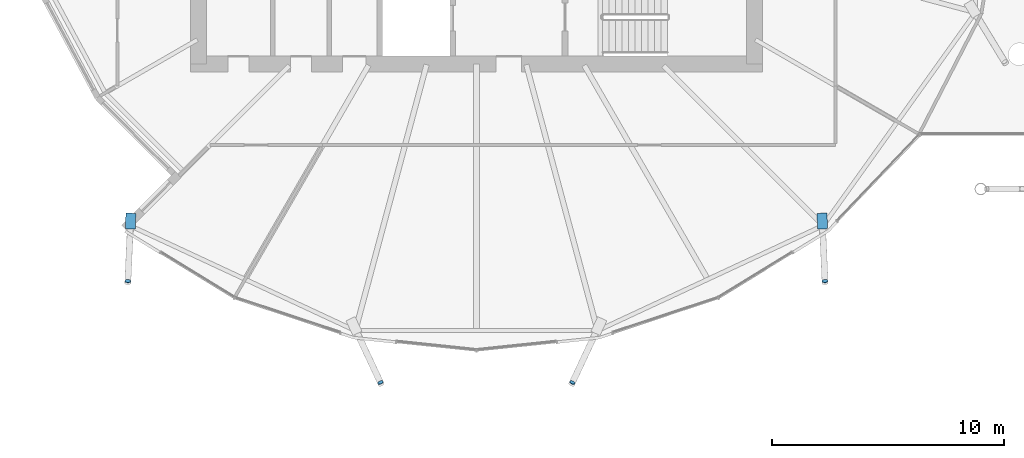
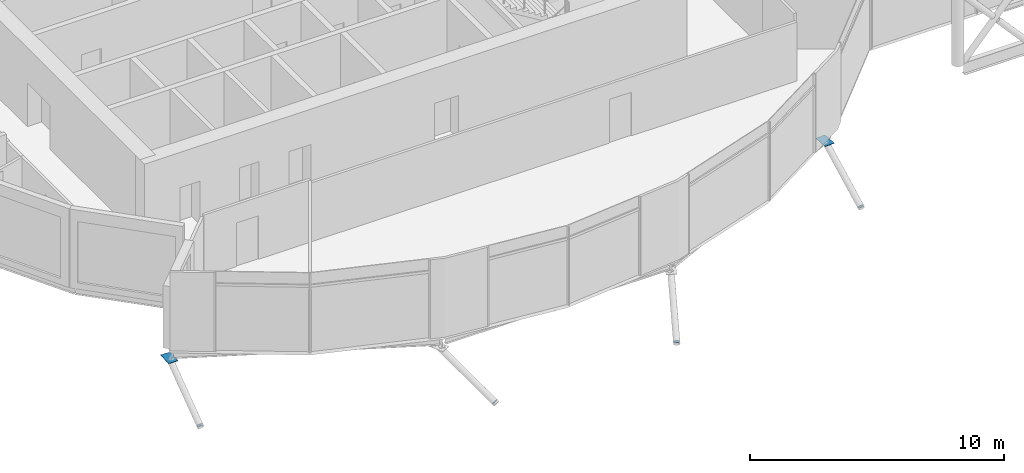
# One storey, part 31 of 39: 6 discrete accessories.
"""IFC4 building model written with IfcOpenShell, lengths in metres."""

import ifcopenshell
import ifcopenshell.guid

model = None  # the IFC model being written
_history = None  # IfcOwnerHistory: only IFC2X3 demands one
_inside = {}  # id of a spatial element -> (the spatial element, [elements in it])
_under = {}  # id of a project, library or spatial element -> (it, [spatial elements below it])
_declared = {}  # id of a project -> (the project, [libraries it declares])
_typed = {}  # id of a type object -> (the type object, [elements of that type])
_made_of = {}  # id of a material, layer set ... -> (it, [elements and type objects made of it])


def new_model(schema):
    """Start an empty IFC model of exactly this schema.

    Asked for "IFC4X3", IfcOpenShell would pick the latest addendum, in which some entities
    have other attributes; the version numbers below select the first issue.
    IFC2X3 requires an IfcOwnerHistory on every rooted entity: one is made here for all.
    """
    global model, _history
    if schema == "IFC4X3":
        model = ifcopenshell.file(schema_version=(4, 3, 0, 0))
    else:
        model = ifcopenshell.file(schema=schema)
    _inside.clear()
    _under.clear()
    _declared.clear()
    _typed.clear()
    _made_of.clear()
    _history = None
    if model.schema == "IFC2X3":
        org = make("IfcOrganization", Name="unknown")
        user = make(
            "IfcPersonAndOrganization",
            ThePerson=make("IfcPerson", FamilyName="unknown"),
            TheOrganization=org,
        )
        app = make(
            "IfcApplication",
            ApplicationDeveloper=org,
            Version="unknown",
            ApplicationFullName="unknown",
            ApplicationIdentifier="unknown",
        )
        _history = make(
            "IfcOwnerHistory",
            OwningUser=user,
            OwningApplication=app,
            ChangeAction="ADDED",
            CreationDate=0,
        )
    return model


def make(cls, **values):
    """One entity of the class cls with the attributes given. An attribute that is None is left unset."""
    return model.create_entity(
        cls, **{name: value for name, value in values.items() if value is not None}
    )


def rooted(cls, **values):
    """An entity with a GlobalId (a new one), such as an element, a storey or a relation."""
    return make(cls, GlobalId=ifcopenshell.guid.new(), OwnerHistory=_history, **values)


def si_unit(unit_type, name, prefix=None):
    """IfcSIUnit, for example si_unit("LENGTHUNIT", "METRE", prefix="MILLI")."""
    return make("IfcSIUnit", UnitType=unit_type, Prefix=prefix, Name=name)


def assignment(units):
    """IfcUnitAssignment: the units of a project."""
    return None if units is None else make("IfcUnitAssignment", Units=units)


def point(xyz):
    """IfcCartesianPoint."""
    return None if xyz is None else make("IfcCartesianPoint", Coordinates=xyz)


def direction(xyz):
    """IfcDirection."""
    return None if xyz is None else make("IfcDirection", DirectionRatios=xyz)


def frame(location, z_axis=None, x_axis=None):
    """IfcAxis2Placement3D, a coordinate frame: its origin and axes. An axis left out is left unset."""
    return make(
        "IfcAxis2Placement3D",
        Location=point(location),
        Axis=direction(z_axis),
        RefDirection=direction(x_axis),
    )


def frame_2d(location, x_axis=None):
    """IfcAxis2Placement2D, a coordinate frame in the plane: its origin and x axis."""
    return make(
        "IfcAxis2Placement2D", Location=point(location), RefDirection=direction(x_axis)
    )


def origin():
    """The frame at (0, 0, 0) with its axes left unset."""
    return frame((0.0, 0.0, 0.0))


def origin_2d():
    """The frame at (0, 0) in the plane with its x axis left unset."""
    return frame_2d((0.0, 0.0))


def place(relative_to, where):
    """IfcLocalPlacement: puts the frame where relative to a parent placement (None: the world)."""
    return make(
        "IfcLocalPlacement", PlacementRelTo=relative_to, RelativePlacement=where
    )


def context(
    kind, dimensions, precision=None, world=None, true_north=None, identifier=None
):
    """IfcGeometricRepresentationContext, for example the 3D "Model" context."""
    return make(
        "IfcGeometricRepresentationContext",
        ContextIdentifier=identifier,
        ContextType=kind,
        CoordinateSpaceDimension=dimensions,
        Precision=precision,
        WorldCoordinateSystem=world,
        TrueNorth=true_north,
    )


def subcontext(parent, identifier, kind, view, scale=None):
    """IfcGeometricRepresentationSubContext, for example "Body" below "Model"."""
    return make(
        "IfcGeometricRepresentationSubContext",
        ContextIdentifier=identifier,
        ContextType=kind,
        ParentContext=parent,
        TargetScale=scale,
        TargetView=view,
    )


def project(units=None, contexts=None):
    """IfcProject with its units and contexts."""
    return rooted(
        "IfcProject",
        Name="project",
        RepresentationContexts=contexts,
        UnitsInContext=assignment(units),
    )


def spatial(cls, under=None, at=None, **own):
    """A site, building, storey or space (cls), placed at a placement, below another one or the project."""
    s = rooted(cls, ObjectPlacement=at, **own)
    if under is not None:
        _under.setdefault(under.id(), (under, []))[1].append(s)
    return s


def polyline(points):
    """IfcPolyline through the points."""
    return make("IfcPolyline", Points=[point(p) for p in points])


def profile(cls, at=None, kind="AREA", **sizes):
    """A parametric profile (cls). Its sizes go by their IFC names, for example OverallWidth=200.0."""
    return make(cls, ProfileType=kind, Position=at, **sizes)


def rectangle(**sizes):
    """IfcRectangleProfileDef."""
    return profile("IfcRectangleProfileDef", **sizes)


def circle(**sizes):
    """IfcCircleProfileDef."""
    return profile("IfcCircleProfileDef", **sizes)


def outline(outer, holes=None, kind="AREA"):
    """IfcArbitraryClosedProfileDef: a profile drawn as a closed curve; with holes, ...WithVoids."""
    if holes is None:
        return make("IfcArbitraryClosedProfileDef", ProfileType=kind, OuterCurve=outer)
    return make(
        "IfcArbitraryProfileDefWithVoids",
        ProfileType=kind,
        OuterCurve=outer,
        InnerCurves=holes,
    )


def extrude(swept, where, along, depth):
    """IfcExtrudedAreaSolid: the profile swept, set in the frame where, extruded along a direction by depth."""
    return make(
        "IfcExtrudedAreaSolid",
        SweptArea=swept,
        Position=where,
        ExtrudedDirection=direction(along),
        Depth=depth,
    )


def shape(context_of_items, identifier, shape_type, items):
    """IfcShapeRepresentation: the items that make up one representation, for example the "Body"."""
    return make(
        "IfcShapeRepresentation",
        ContextOfItems=context_of_items,
        RepresentationIdentifier=identifier,
        RepresentationType=shape_type,
        Items=items,
    )


def material(Name=None, Category=None):
    """IfcMaterial."""
    return make("IfcMaterial", Name=Name, Category=Category)


def material_profile(
    of_material, cross_section, Name=None, Category=None, Priority=None
):
    """IfcMaterialProfile: a cross section and its material."""
    return make(
        "IfcMaterialProfile",
        Name=Name,
        Material=of_material,
        Profile=cross_section,
        Priority=Priority,
        Category=Category,
    )


def profile_set(profiles, Name=None, composite=None):
    """IfcMaterialProfileSet."""
    return make(
        "IfcMaterialProfileSet",
        Name=Name,
        MaterialProfiles=profiles,
        CompositeProfile=composite,
    )


def made_of(thing, what):
    """Note that an element or type object is made of a material, layer set ...; save() writes the relation."""
    if what is not None:
        _made_of.setdefault(what.id(), (what, []))[1].append(thing)
    return thing


def type_object(cls, material=None, **own):
    """A type object (cls), such as IfcWallType, which elements share."""
    return made_of(rooted(cls, **own), material)


def element(
    cls,
    number,
    at=None,
    inside=None,
    cuts=None,
    type_object=None,
    material=None,
    context=None,
    identifier="Body",
    shape_type=None,
    held_by="IfcProductDefinitionShape",
    body=None,
    shapes=None,
    **own,
):
    """One element of the class cls, such as IfcWall. Its Tag is "e" and its number.

    at: its placement. inside: the storey or other place that contains it. cuts: it is an
    opening in that element (IfcRelVoidsElement). A single representation is given by context,
    identifier, shape_type and body (its items); several are given by shapes. held_by: the class
    of the entity that holds the representations. save() writes the other relations.
    """
    e = rooted(cls, Tag="e%d" % number, ObjectPlacement=at, **own)
    if body is not None:
        shapes = [shape(context, identifier, shape_type, body)]
    if shapes is not None:
        e.Representation = make(held_by, Representations=shapes)
    if inside is not None:
        _inside.setdefault(inside.id(), (inside, []))[1].append(e)
    if cuts is not None:
        rooted(
            "IfcRelVoidsElement", RelatingBuildingElement=cuts, RelatedOpeningElement=e
        )
    if type_object is not None:
        _typed.setdefault(type_object.id(), (type_object, []))[1].append(e)
    return made_of(e, material)


def aggregate(whole, parts):
    """IfcRelAggregates: a whole, such as a stair, and the parts it consists of."""
    return rooted("IfcRelAggregates", RelatingObject=whole, RelatedObjects=parts)


def save(model, path):
    """Write the relations noted so far, then the file.

    IfcRelAggregates (storeys below a building ...), IfcRelContainedInSpatialStructure (elements
    in a storey), IfcRelDefinesByType, IfcRelAssociatesMaterial and IfcRelDeclares: one each for
    every whole, place, type object, material and project.
    """
    for whole, parts in _under.values():
        aggregate(whole, parts)
    for where, things in _inside.values():
        rooted(
            "IfcRelContainedInSpatialStructure",
            RelatedElements=things,
            RelatingStructure=where,
        )
    for kind, things in _typed.values():
        rooted("IfcRelDefinesByType", RelatedObjects=things, RelatingType=kind)
    for what, things in _made_of.values():
        rooted("IfcRelAssociatesMaterial", RelatedObjects=things, RelatingMaterial=what)
    for by, libraries in _declared.values():
        rooted("IfcRelDeclares", RelatingContext=by, RelatedDefinitions=libraries)
    model.write(path)


model = new_model("IFC4")

# Units and contexts
model_context = context("Model", 3, precision=1e-05, world=origin(), true_north=direction((0.0, 1.0)))
body_context = subcontext(model_context, "Body", "Model", "MODEL_VIEW")
ifc_project = project(units=[si_unit("LENGTHUNIT", "METRE"), si_unit("AREAUNIT", "SQUARE_METRE"), si_unit("VOLUMEUNIT", "CUBIC_METRE"), si_unit("PLANEANGLEUNIT", "RADIAN"), si_unit("MASSUNIT", "GRAM", prefix="KILO")], contexts=[model_context])

# Site, building, storey
site_placement = place(None, origin())
site = spatial("IfcSite", under=ifc_project, at=site_placement, CompositionType="ELEMENT")
building_placement = place(site_placement, origin())
building = spatial("IfcBuilding", under=site, at=building_placement, Name="Rimbun Link Towers", CompositionType="ELEMENT")
storey_placement = place(building_placement, frame((0.0, 0.0, 143.0)))
storey = spatial("IfcBuildingStorey", under=building, at=storey_placement, Name="L34", CompositionType="ELEMENT", Elevation=143.0)

# Discrete accessories
ifc_material_1 = material(Name="Steel S355J2H", Category="steel")
ifc_material_profile_1 = material_profile(ifc_material_1, circle(Radius=0.1240234375, at=origin_2d()), Name="PL D248")
ifc_profile_set_1 = profile_set([ifc_material_profile_1], Name="Steel S355J2H")
discrete_accessory_type_1 = type_object("IfcDiscreteAccessoryType", Name="Link foot sealing plate D248X20", PredefinedType="BRACKET", material=ifc_profile_set_1)
for number, where, z_axis, x_axis, name in (
    (1, (-46.7958984375, -17.367431640625, -2.33349609375), (-0.03649321796, -0.85150841907, -0.523069457429), (0.999082895818, -0.042817838392, 0.0), "Link foot sealing plate T1 L34 15"),
    (2, (-35.89697265625, -21.7470703125, -2.384521484375), (0.367139038833, -0.783229949511, -0.501756686406), (0.905458935959, 0.424433876231, 0.0), "Link foot sealing plate T1 L34 17"),
    (3, (-27.60302734375, -21.7470703125, -2.384521484375), (-0.367139038833, -0.783229949511, -0.501756686406), (0.905458935959, -0.424433876231, 0.0), "Link foot sealing plate T1 L34 19"),
    (4, (-16.7041015625, -17.367431640625, -2.33349609375), (0.03649321796, -0.85150841907, -0.523069457429), (0.999082895818, 0.042817838392, 0.0), "Link foot sealing plate T1 L34 21"),
):
    element("IfcDiscreteAccessory", number, at=place(storey_placement, frame(where, z_axis=z_axis, x_axis=x_axis)), inside=storey, type_object=discrete_accessory_type_1, Name=name, PredefinedType="BRACKET", context=body_context, shape_type="SweptSolid", body=[
        extrude(circle(Radius=0.1240234375, at=origin_2d()), origin(), (0.0, 0.0, 1.0), 0.02001953125),
    ])
ifc_material_2 = material(Name="Steel S355J2H", Category="steel")
ifc_material_profile_2 = material_profile(ifc_material_2, rectangle(XDim=0.43310546875, YDim=0.43310546875, at=origin_2d()), Name="PL 433x433")
ifc_profile_set_2 = profile_set([ifc_material_profile_2], Name="Steel S355J2H")
discrete_accessory_type_2 = type_object("IfcDiscreteAccessoryType", Name="Link head end plate 433X20", PredefinedType="BRACKET", material=ifc_profile_set_2)
discrete_accessory_1_placement = place(storey_placement, frame((0.0, 0.0, -0.733154296875)))
element("IfcDiscreteAccessory", 5, at=discrete_accessory_1_placement, inside=storey, type_object=discrete_accessory_type_2, Name="Link head end plate T1 L34 15", PredefinedType="BRACKET", context=body_context, shape_type="SweptSolid", body=[
    extrude(outline(polyline([(-46.881103515625, -14.43310546875), (-46.91162109375, -15.111328125), (-46.47900390625, -15.130859375), (-46.44873046875, -14.452392578125), (-46.881103515625, -14.43310546875)])), origin(), (0.0, 0.0, 1.0), 0.02001953125),
])
discrete_accessory_2_placement = place(storey_placement, frame((0.0, 0.0, -0.733154296875)))
element("IfcDiscreteAccessory", 6, at=discrete_accessory_2_placement, inside=storey, type_object=discrete_accessory_type_2, Name="Link head end plate T1 L34 21", PredefinedType="BRACKET", context=body_context, shape_type="SweptSolid", body=[
    extrude(outline(polyline([(-17.05126953125, -14.452392578125), (-17.02099609375, -15.130859375), (-16.58837890625, -15.111328125), (-16.618896484375, -14.43310546875), (-17.05126953125, -14.452392578125)])), origin(), (0.0, 0.0, 1.0), 0.02001953125),
])

save(model, "model.ifc")
